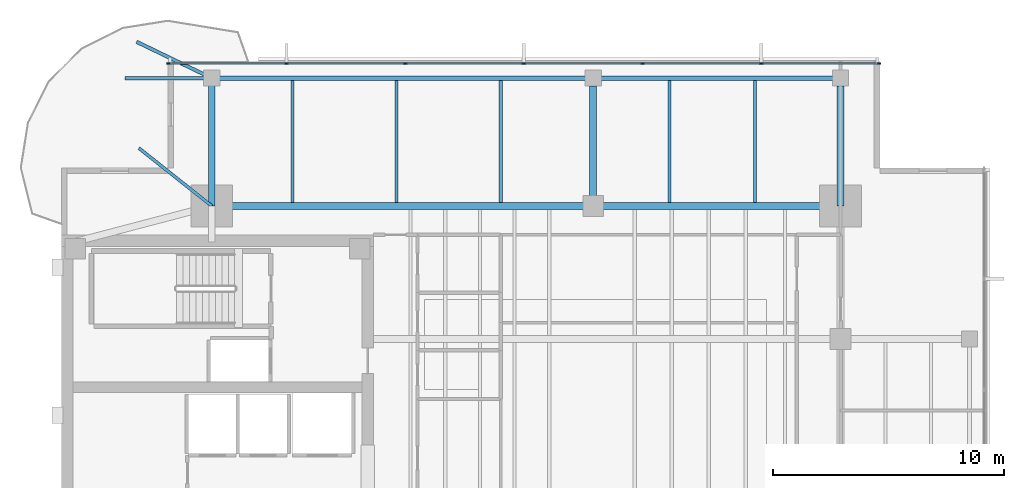
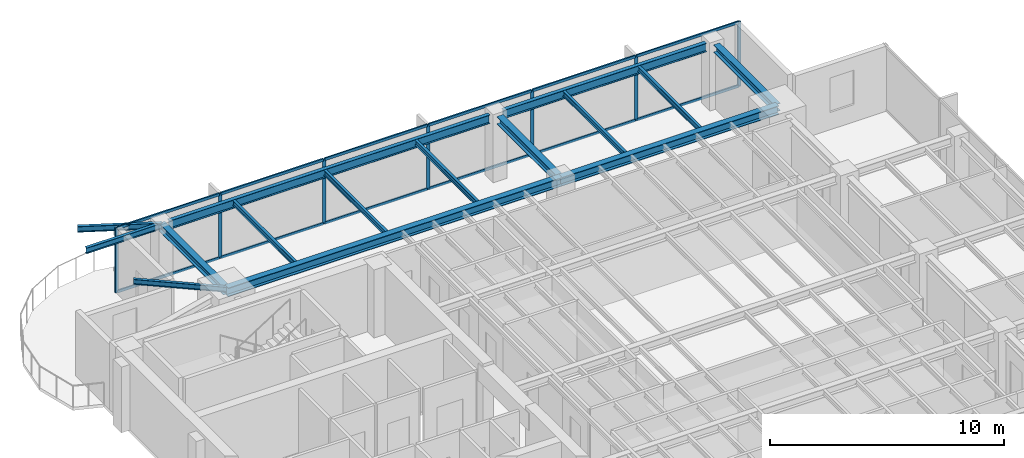
# One storey, part 5 of 14: 19 members, 15 beams, 1 element without a shape of its own.
"""IFC4 building model written with IfcOpenShell, lengths in metres."""

from ifc_helpers import new_model, si_unit, direction, frame, origin, origin_2d, place, context, subcontext, project, spatial, rectangle, i_section, extrude, material, layer, layer_set, material_profile, profile_set, type_object, element, aggregate, save


model = new_model("IFC4")

# Units and contexts
model_context = context("Model", 3, precision=1e-05, world=origin(), true_north=direction((0.0, 1.0)))
body_context = subcontext(model_context, "Body", "Model", "MODEL_VIEW")
ifc_project = project(units=[si_unit("LENGTHUNIT", "METRE"), si_unit("AREAUNIT", "SQUARE_METRE"), si_unit("VOLUMEUNIT", "CUBIC_METRE"), si_unit("PLANEANGLEUNIT", "RADIAN"), si_unit("MASSUNIT", "GRAM", prefix="KILO")], contexts=[model_context])

# Site, building, storey
site_placement = place(None, origin())
site = spatial("IfcSite", under=ifc_project, at=site_placement, CompositionType="ELEMENT")
building_placement = place(site_placement, origin())
building = spatial("IfcBuilding", under=site, at=building_placement, Name="Kinhvarn Gate Tower", CompositionType="ELEMENT")
storey_placement = place(building_placement, frame((0.0, 0.0, 270.550048828125)))
storey = spatial("IfcBuildingStorey", under=building, at=storey_placement, Name="L72", CompositionType="ELEMENT", Elevation=270.550048828125)

# Curtain wall, members
ifc_material_1 = material(Name="Anodised aluminium AW-6063", Category="aluminium")
ifc_layer = layer(ifc_material_1, 0.179931640625)
ifc_layer_set = layer_set([ifc_layer], Name="Anodised aluminium AW-6063")
curtain_wall_type = type_object("IfcCurtainWallType", Name="CW-SYS-3", PredefinedType="NOTDEFINED", material=ifc_layer_set)
curtain_wall_placement = place(storey_placement, origin())
curtain_wall = element("IfcCurtainWall", 1, at=curtain_wall_placement, inside=storey, type_object=curtain_wall_type, Name="Curtain Wall CW3 (L72)", PredefinedType="NOTDEFINED")
ifc_material_profile_1 = material_profile(ifc_material_1, rectangle(XDim=0.06494140625, YDim=0.159912109375, at=origin_2d()), Name="ALU 65x160")
ifc_profile_set_1 = profile_set([ifc_material_profile_1], Name="Anodised aluminium AW-6063")
member_type_1 = type_object("IfcMemberType", Name="CW-MUL-160", PredefinedType="MULLION", material=ifc_profile_set_1)
member_1_placement = place(storey_placement, frame((39.867431640625, 43.909912109375, 0.0), z_axis=(0.0, 0.0, 1.0), x_axis=(0.0, -1.0, 0.0)))
member_1 = element("IfcMember", 2, at=member_1_placement, type_object=member_type_1, Name="CW3 mullion 1", PredefinedType="MULLION", context=body_context, shape_type="SweptSolid", body=[
    extrude(rectangle(XDim=0.06494140625, YDim=0.159912109375, at=origin_2d()), origin(), (0.0, 0.0, 1.0), 3.389892578125),
])
member_2_placement = place(storey_placement, frame((34.7666015625, 43.909912109375, 0.0), z_axis=(0.0, 0.0, 1.0), x_axis=(0.0, -1.0, 0.0)))
member_2 = element("IfcMember", 3, at=member_2_placement, type_object=member_type_1, Name="CW3 mullion 2", PredefinedType="MULLION", context=body_context, shape_type="SweptSolid", body=[
    extrude(rectangle(XDim=0.06494140625, YDim=0.159912109375, at=origin_2d()), origin(), (0.0, 0.0, 1.0), 3.389892578125),
])
member_3_placement = place(storey_placement, frame((29.63330078125, 43.909912109375, 0.0), z_axis=(0.0, 0.0, 1.0), x_axis=(0.0, -1.0, 0.0)))
member_3 = element("IfcMember", 4, at=member_3_placement, type_object=member_type_1, Name="CW3 mullion 3", PredefinedType="MULLION", context=body_context, shape_type="SweptSolid", body=[
    extrude(rectangle(XDim=0.06494140625, YDim=0.159912109375, at=origin_2d()), origin(), (0.0, 0.0, 1.0), 3.389892578125),
])
member_4_placement = place(storey_placement, frame((24.5, 43.909912109375, 0.0), z_axis=(0.0, 0.0, 1.0), x_axis=(0.0, -1.0, 0.0)))
member_4 = element("IfcMember", 5, at=member_4_placement, type_object=member_type_1, Name="CW3 mullion 4", PredefinedType="MULLION", context=body_context, shape_type="SweptSolid", body=[
    extrude(rectangle(XDim=0.06494140625, YDim=0.159912109375, at=origin_2d()), origin(), (0.0, 0.0, 1.0), 3.389892578125),
])
member_5_placement = place(storey_placement, frame((19.36669921875, 43.909912109375, 0.0), z_axis=(0.0, 0.0, 1.0), x_axis=(0.0, -1.0, 0.0)))
member_5 = element("IfcMember", 6, at=member_5_placement, type_object=member_type_1, Name="CW3 mullion 5", PredefinedType="MULLION", context=body_context, shape_type="SweptSolid", body=[
    extrude(rectangle(XDim=0.06494140625, YDim=0.159912109375, at=origin_2d()), origin(), (0.0, 0.0, 1.0), 3.389892578125),
])
member_6_placement = place(storey_placement, frame((14.2333984375, 43.909912109375, 0.0), z_axis=(0.0, 0.0, 1.0), x_axis=(0.0, -1.0, 0.0)))
member_6 = element("IfcMember", 7, at=member_6_placement, type_object=member_type_1, Name="CW3 mullion 6", PredefinedType="MULLION", context=body_context, shape_type="SweptSolid", body=[
    extrude(rectangle(XDim=0.06494140625, YDim=0.159912109375, at=origin_2d()), origin(), (0.0, 0.0, 1.0), 3.389892578125),
])
member_7_placement = place(storey_placement, frame((9.132568359375, 43.909912109375, 0.0), z_axis=(0.0, 0.0, 1.0), x_axis=(0.0, -1.0, 0.0)))
member_7 = element("IfcMember", 8, at=member_7_placement, type_object=member_type_1, Name="CW3 mullion 7", PredefinedType="MULLION", context=body_context, shape_type="SweptSolid", body=[
    extrude(rectangle(XDim=0.06494140625, YDim=0.159912109375, at=origin_2d()), origin(), (0.0, 0.0, 1.0), 3.389892578125),
])
ifc_material_profile_2 = material_profile(ifc_material_1, rectangle(XDim=0.070068359375, YDim=0.139892578125, at=origin_2d()), Name="ALU 70x140")
ifc_profile_set_2 = profile_set([ifc_material_profile_2], Name="Anodised aluminium AW-6063")
member_type_2 = type_object("IfcMemberType", Name="CW-TRN-140", PredefinedType="USERDEFINED", material=ifc_profile_set_2)
member_8_placement = place(storey_placement, frame((39.8349609375, 43.909912109375, 0.034912109375), z_axis=(-1.0, 0.0, 0.0), x_axis=(0.0, -1.0, 0.0)))
member_8 = element("IfcMember", 9, at=member_8_placement, type_object=member_type_2, Name="CW3 transom 1.1", ObjectType="TRANSOM", PredefinedType="USERDEFINED", context=body_context, shape_type="SweptSolid", body=[
    extrude(rectangle(XDim=0.070068359375, YDim=0.139892578125, at=origin_2d()), origin(), (0.0, 0.0, 1.0), 5.035888671875),
])
member_9_placement = place(storey_placement, frame((39.8349609375, 43.909912109375, 3.35498046875), z_axis=(-1.0, 0.0, 0.0), x_axis=(0.0, -1.0, 0.0)))
member_9 = element("IfcMember", 10, at=member_9_placement, type_object=member_type_2, Name="CW3 transom 1.2", ObjectType="TRANSOM", PredefinedType="USERDEFINED", context=body_context, shape_type="SweptSolid", body=[
    extrude(rectangle(XDim=0.070068359375, YDim=0.139892578125, at=origin_2d()), origin(), (0.0, 0.0, 1.0), 5.035888671875),
])
member_10_placement = place(storey_placement, frame((34.734130859375, 43.909912109375, 0.034912109375), z_axis=(-1.0, 0.0, 0.0), x_axis=(0.0, -1.0, 0.0)))
member_10 = element("IfcMember", 11, at=member_10_placement, type_object=member_type_2, Name="CW3 transom 2.1", ObjectType="TRANSOM", PredefinedType="USERDEFINED", context=body_context, shape_type="SweptSolid", body=[
    extrude(rectangle(XDim=0.070068359375, YDim=0.139892578125, at=origin_2d()), origin(), (0.0, 0.0, 1.0), 5.068359375),
])
member_11_placement = place(storey_placement, frame((34.734130859375, 43.909912109375, 3.35498046875), z_axis=(-1.0, 0.0, 0.0), x_axis=(0.0, -1.0, 0.0)))
member_11 = element("IfcMember", 12, at=member_11_placement, type_object=member_type_2, Name="CW3 transom 2.2", ObjectType="TRANSOM", PredefinedType="USERDEFINED", context=body_context, shape_type="SweptSolid", body=[
    extrude(rectangle(XDim=0.070068359375, YDim=0.139892578125, at=origin_2d()), origin(), (0.0, 0.0, 1.0), 5.068359375),
])
member_12_placement = place(storey_placement, frame((29.600830078125, 43.909912109375, 0.034912109375), z_axis=(-1.0, 0.0, 0.0), x_axis=(0.0, -1.0, 0.0)))
member_12 = element("IfcMember", 13, at=member_12_placement, type_object=member_type_2, Name="CW3 transom 3.1", ObjectType="TRANSOM", PredefinedType="USERDEFINED", context=body_context, shape_type="SweptSolid", body=[
    extrude(rectangle(XDim=0.070068359375, YDim=0.139892578125, at=origin_2d()), origin(), (0.0, 0.0, 1.0), 5.068359375),
])
member_13_placement = place(storey_placement, frame((29.600830078125, 43.909912109375, 3.35498046875), z_axis=(-1.0, 0.0, 0.0), x_axis=(0.0, -1.0, 0.0)))
member_13 = element("IfcMember", 14, at=member_13_placement, type_object=member_type_2, Name="CW3 transom 3.2", ObjectType="TRANSOM", PredefinedType="USERDEFINED", context=body_context, shape_type="SweptSolid", body=[
    extrude(rectangle(XDim=0.070068359375, YDim=0.139892578125, at=origin_2d()), origin(), (0.0, 0.0, 1.0), 5.068359375),
])
member_14_placement = place(storey_placement, frame((24.467529296875, 43.909912109375, 0.034912109375), z_axis=(-1.0, 0.0, 0.0), x_axis=(0.0, -1.0, 0.0)))
member_14 = element("IfcMember", 15, at=member_14_placement, type_object=member_type_2, Name="CW3 transom 4.1", ObjectType="TRANSOM", PredefinedType="USERDEFINED", context=body_context, shape_type="SweptSolid", body=[
    extrude(rectangle(XDim=0.070068359375, YDim=0.139892578125, at=origin_2d()), origin(), (0.0, 0.0, 1.0), 5.068359375),
])
member_15_placement = place(storey_placement, frame((24.467529296875, 43.909912109375, 3.35498046875), z_axis=(-1.0, 0.0, 0.0), x_axis=(0.0, -1.0, 0.0)))
member_15 = element("IfcMember", 16, at=member_15_placement, type_object=member_type_2, Name="CW3 transom 4.2", ObjectType="TRANSOM", PredefinedType="USERDEFINED", context=body_context, shape_type="SweptSolid", body=[
    extrude(rectangle(XDim=0.070068359375, YDim=0.139892578125, at=origin_2d()), origin(), (0.0, 0.0, 1.0), 5.068359375),
])
member_16_placement = place(storey_placement, frame((19.334228515625, 43.909912109375, 0.034912109375), z_axis=(-1.0, 0.0, 0.0), x_axis=(0.0, -1.0, 0.0)))
member_16 = element("IfcMember", 17, at=member_16_placement, type_object=member_type_2, Name="CW3 transom 5.1", ObjectType="TRANSOM", PredefinedType="USERDEFINED", context=body_context, shape_type="SweptSolid", body=[
    extrude(rectangle(XDim=0.070068359375, YDim=0.139892578125, at=origin_2d()), origin(), (0.0, 0.0, 1.0), 5.068359375),
])
member_17_placement = place(storey_placement, frame((19.334228515625, 43.909912109375, 3.35498046875), z_axis=(-1.0, 0.0, 0.0), x_axis=(0.0, -1.0, 0.0)))
member_17 = element("IfcMember", 18, at=member_17_placement, type_object=member_type_2, Name="CW3 transom 5.2", ObjectType="TRANSOM", PredefinedType="USERDEFINED", context=body_context, shape_type="SweptSolid", body=[
    extrude(rectangle(XDim=0.070068359375, YDim=0.139892578125, at=origin_2d()), origin(), (0.0, 0.0, 1.0), 5.068359375),
])
member_18_placement = place(storey_placement, frame((14.200927734375, 43.909912109375, 0.034912109375), z_axis=(-1.0, 0.0, 0.0), x_axis=(0.0, -1.0, 0.0)))
member_18 = element("IfcMember", 19, at=member_18_placement, type_object=member_type_2, Name="CW3 transom 6.1", ObjectType="TRANSOM", PredefinedType="USERDEFINED", context=body_context, shape_type="SweptSolid", body=[
    extrude(rectangle(XDim=0.070068359375, YDim=0.139892578125, at=origin_2d()), origin(), (0.0, 0.0, 1.0), 5.035888671875),
])
member_19_placement = place(storey_placement, frame((14.200927734375, 43.909912109375, 3.35498046875), z_axis=(-1.0, 0.0, 0.0), x_axis=(0.0, -1.0, 0.0)))
member_19 = element("IfcMember", 20, at=member_19_placement, type_object=member_type_2, Name="CW3 transom 6.2", ObjectType="TRANSOM", PredefinedType="USERDEFINED", context=body_context, shape_type="SweptSolid", body=[
    extrude(rectangle(XDim=0.070068359375, YDim=0.139892578125, at=origin_2d()), origin(), (0.0, 0.0, 1.0), 5.035888671875),
])
aggregate(curtain_wall, [member_1, member_2, member_3, member_4, member_5, member_6, member_7, member_8, member_9, member_10, member_11, member_12, member_13, member_14, member_15, member_16, member_17, member_18, member_19])

# Beams
ifc_material_2 = material(Name="Steel S355", Category="steel")
ifc_material_profile_3 = material_profile(ifc_material_2, i_section(OverallWidth=0.300048828125, OverallDepth=0.39990234375, WebThickness=0.013427734375, FlangeThickness=0.02392578125, at=origin_2d()), Name="HEB 400")
ifc_profile_set_3 = profile_set([ifc_material_profile_3], Name="Steel S355")
beam_type_1 = type_object("IfcBeamType", Name="STL-HEB400", PredefinedType="BEAM", material=ifc_profile_set_3)
beam_1_placement = place(storey_placement, frame((11.0, 37.75, 3.18994140625), z_axis=(0.0, 1.0, 0.0), x_axis=(-1.0, 0.0, 0.0)))
element("IfcBeam", 21, at=beam_1_placement, inside=storey, type_object=beam_type_1, Name="Floor Beam PG-12 (L72 MCW-N)", PredefinedType="BEAM", context=body_context, shape_type="SweptSolid", body=[
    extrude(i_section(OverallWidth=0.300048828125, OverallDepth=0.39990234375, WebThickness=0.013427734375, FlangeThickness=0.02392578125, at=origin_2d()), origin(), (0.0, 0.0, 1.0), 5.530029296875),
])
for number, where, z_axis, x_axis, name in (
    (22, (27.5, 37.75, 3.18994140625), (0.0, 1.0, 0.0), (-1.0, 0.0, 0.0), "Floor Beam PG-12 (L72 SP27-N-TIE)"),
    (23, (38.199951171875, 37.75, 3.18994140625), (0.0, 1.0, 0.0), (-1.0, 0.0, 0.0), "Floor Beam PG-12 (L72 MCE-N)"),
):
    element("IfcBeam", number, at=place(storey_placement, frame(where, z_axis=z_axis, x_axis=x_axis)), inside=storey, type_object=beam_type_1, Name=name, PredefinedType="BEAM", context=body_context, shape_type="SweptSolid", body=[
        extrude(i_section(OverallWidth=0.300048828125, OverallDepth=0.39990234375, WebThickness=0.013427734375, FlangeThickness=0.02392578125, at=origin_2d()), origin(), (0.0, 0.0, 1.0), 5.195068359375),
    ])
ifc_material_profile_4 = material_profile(ifc_material_2, i_section(OverallWidth=0.300048828125, OverallDepth=0.449951171875, WebThickness=0.013916015625, FlangeThickness=0.02587890625, at=origin_2d()), Name="HEB 450")
ifc_profile_set_4 = profile_set([ifc_material_profile_4], Name="Steel S355")
beam_type_2 = type_object("IfcBeamType", Name="STL-HEB450", PredefinedType="BEAM", material=ifc_profile_set_4)
beam_2_placement = place(storey_placement, frame((11.0, 37.75, 3.1650390625), z_axis=(1.0, 0.0, 0.0), x_axis=(0.0, 1.0, 0.0)))
element("IfcBeam", 24, at=beam_2_placement, inside=storey, type_object=beam_type_2, Name="Floor Beam PG-13 (L72 MG-N1)", PredefinedType="BEAM", context=body_context, shape_type="SweptSolid", body=[
    extrude(i_section(OverallWidth=0.300048828125, OverallDepth=0.449951171875, WebThickness=0.013916015625, FlangeThickness=0.02587890625, at=origin_2d()), origin(), (0.0, 0.0, 1.0), 16.5),
])
beam_3_placement = place(storey_placement, frame((27.5, 37.75, 3.1650390625), z_axis=(1.0, 0.0, 0.0), x_axis=(0.0, 1.0, 0.0)))
element("IfcBeam", 25, at=beam_3_placement, inside=storey, type_object=beam_type_2, Name="Floor Beam PG-13 (L72 MG-N2)", PredefinedType="BEAM", context=body_context, shape_type="SweptSolid", body=[
    extrude(i_section(OverallWidth=0.300048828125, OverallDepth=0.449951171875, WebThickness=0.013916015625, FlangeThickness=0.02587890625, at=origin_2d()), origin(), (0.0, 0.0, 1.0), 10.699951171875),
])
ifc_material_profile_5 = material_profile(ifc_material_2, i_section(OverallWidth=0.135009765625, OverallDepth=0.27001953125, WebThickness=0.006591796875, FlangeThickness=0.01025390625, at=origin_2d()), Name="IPE 270")
ifc_profile_set_5 = profile_set([ifc_material_profile_5], Name="Steel S355")
beam_type_3 = type_object("IfcBeamType", Name="STL-IPE270", PredefinedType="JOIST", material=ifc_profile_set_5)
for number, where, z_axis, x_axis, name in (
    (26, (14.5, 37.89990234375, 3.2548828125), (0.0, 1.0, 0.0), (-1.0, 0.0, 0.0), "Floor Joist SB-01 (L72 JN-X145)"),
    (27, (19.0, 37.89990234375, 3.2548828125), (0.0, 1.0, 0.0), (-1.0, 0.0, 0.0), "Floor Joist SB-01 (L72 JN-X190)"),
    (28, (23.5, 37.89990234375, 3.2548828125), (0.0, 1.0, 0.0), (-1.0, 0.0, 0.0), "Floor Joist SB-01 (L72 JN-X235)"),
    (29, (30.800048828125, 37.89990234375, 3.2548828125), (0.0, 1.0, 0.0), (-1.0, 0.0, 0.0), "Floor Joist SB-01 (L72 JN-X308)"),
    (30, (34.5, 37.89990234375, 3.2548828125), (0.0, 1.0, 0.0), (-1.0, 0.0, 0.0), "Floor Joist SB-01 (L72 JN-X345)"),
):
    element("IfcBeam", number, at=place(storey_placement, frame(where, z_axis=z_axis, x_axis=x_axis)), inside=storey, type_object=beam_type_3, Name=name, PredefinedType="JOIST", context=body_context, shape_type="SweptSolid", body=[
        extrude(i_section(OverallWidth=0.135009765625, OverallDepth=0.27001953125, WebThickness=0.006591796875, FlangeThickness=0.01025390625, at=origin_2d()), origin(), (0.0, 0.0, 1.0), 5.28515625),
    ])
beam_4_placement = place(storey_placement, frame((11.0, 37.75, 3.2548828125), z_axis=(-0.783279518214, 0.621669684275, 0.0), x_axis=(-0.621669684275, -0.783279518214, 0.0)))
element("IfcBeam", 31, at=beam_4_placement, inside=storey, type_object=beam_type_3, Name="Floor Joist SB-01 (L72 BAL-B3-L73)", PredefinedType="JOIST", context=body_context, shape_type="SweptSolid", body=[
    extrude(i_section(OverallWidth=0.135009765625, OverallDepth=0.27001953125, WebThickness=0.006591796875, FlangeThickness=0.01025390625, at=origin_2d()), origin(), (0.0, 0.0, 1.0), 4.021484375),
])
ifc_material_profile_6 = material_profile(ifc_material_2, i_section(OverallWidth=0.14990234375, OverallDepth=0.300048828125, WebThickness=0.007080078125, FlangeThickness=0.0107421875, at=origin_2d()), Name="IPE 300")
ifc_profile_set_6 = profile_set([ifc_material_profile_6], Name="Steel S355")
beam_type_4 = type_object("IfcBeamType", Name="STL-IPE300", PredefinedType="JOIST", material=ifc_profile_set_6)
beam_5_placement = place(storey_placement, frame((11.0, 43.280029296875, 3.239990234375), z_axis=(-1.0, 0.0, 0.0), x_axis=(0.0, -1.0, 0.0)))
element("IfcBeam", 32, at=beam_5_placement, inside=storey, type_object=beam_type_4, Name="Floor Joist SB-02 (L72 BAL-B1-L73)", PredefinedType="JOIST", context=body_context, shape_type="SweptSolid", body=[
    extrude(i_section(OverallWidth=0.14990234375, OverallDepth=0.300048828125, WebThickness=0.007080078125, FlangeThickness=0.0107421875, at=origin_2d()), origin(), (0.0, 0.0, 1.0), 3.75),
])
beam_6_placement = place(storey_placement, frame((11.0, 43.280029296875, 3.239990234375), z_axis=(-0.900431975558, 0.434996847567, 0.0), x_axis=(-0.434996847567, -0.900431975558, 0.0)))
element("IfcBeam", 33, at=beam_6_placement, inside=storey, type_object=beam_type_4, Name="Floor Joist SB-02 (L72 BAL-B2-L73)", PredefinedType="JOIST", context=body_context, shape_type="SweptSolid", body=[
    extrude(i_section(OverallWidth=0.14990234375, OverallDepth=0.300048828125, WebThickness=0.007080078125, FlangeThickness=0.0107421875, at=origin_2d()), origin(), (0.0, 0.0, 1.0), 3.609375),
])
ifc_material_profile_7 = material_profile(ifc_material_2, i_section(OverallWidth=0.18994140625, OverallDepth=0.449951171875, WebThickness=0.009521484375, FlangeThickness=0.0146484375, at=origin_2d()), Name="IPE 450")
ifc_profile_set_7 = profile_set([ifc_material_profile_7], Name="Steel S355")
beam_type_5 = type_object("IfcBeamType", Name="STL-IPE450", PredefinedType="JOIST", material=ifc_profile_set_7)
beam_7_placement = place(storey_placement, frame((11.3349609375, 43.280029296875, 3.1650390625), z_axis=(1.0, 0.0, 0.0), x_axis=(0.0, 1.0, 0.0)))
element("IfcBeam", 34, at=beam_7_placement, inside=storey, type_object=beam_type_5, Name="Floor Joist SB-06 (L72 SP-N1)", PredefinedType="JOIST", context=body_context, shape_type="SweptSolid", body=[
    extrude(i_section(OverallWidth=0.18994140625, OverallDepth=0.449951171875, WebThickness=0.009521484375, FlangeThickness=0.0146484375, at=origin_2d()), origin(), (0.0, 0.0, 1.0), 15.830078125),
])
beam_8_placement = place(storey_placement, frame((27.8349609375, 43.280029296875, 3.1650390625), z_axis=(1.0, 0.0, 0.0), x_axis=(0.0, 1.0, 0.0)))
element("IfcBeam", 35, at=beam_8_placement, inside=storey, type_object=beam_type_5, Name="Floor Joist SB-06 (L72 SP-N2)", PredefinedType="JOIST", context=body_context, shape_type="SweptSolid", body=[
    extrude(i_section(OverallWidth=0.18994140625, OverallDepth=0.449951171875, WebThickness=0.009521484375, FlangeThickness=0.0146484375, at=origin_2d()), origin(), (0.0, 0.0, 1.0), 10.030029296875),
])

save(model, "model.ifc")
